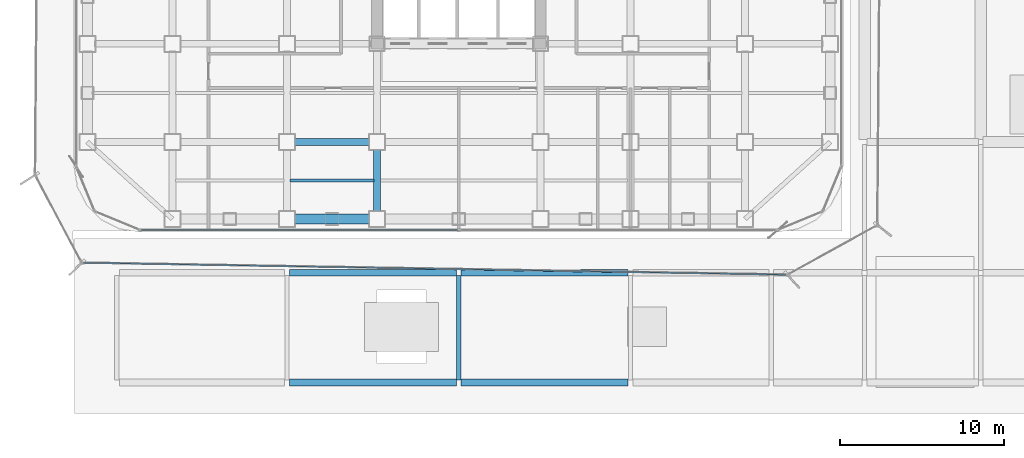
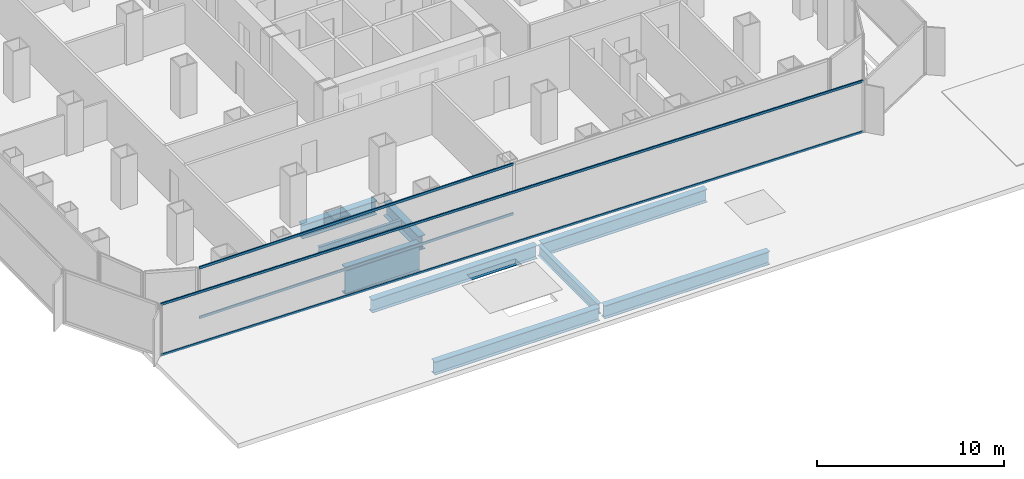
# One storey, part 4 of 27: 9 beams, 4 members, 2 elements without a shape of their own.
"""IFC4 building model written with IfcOpenShell, lengths in metres."""

from ifc_helpers import new_model, si_unit, direction, frame, origin, origin_2d, place, context, subcontext, project, spatial, hollow_rectangle, i_section, extrude, source, transform, mapped, material, layer, layer_set, material_profile, profile_set, type_object, element, aggregate, save


model = new_model("IFC4")

# Units and contexts
model_context = context("Model", 3, precision=1e-05, world=origin(), true_north=direction((0.0, 1.0)))
body_context = subcontext(model_context, "Body", "Model", "MODEL_VIEW")
ifc_project = project(units=[si_unit("LENGTHUNIT", "METRE"), si_unit("AREAUNIT", "SQUARE_METRE"), si_unit("VOLUMEUNIT", "CUBIC_METRE"), si_unit("PLANEANGLEUNIT", "RADIAN"), si_unit("MASSUNIT", "GRAM", prefix="KILO")], contexts=[model_context])

# Site, building, storey
site_placement = place(None, origin())
site = spatial("IfcSite", under=ifc_project, at=site_placement, CompositionType="ELEMENT")
building_placement = place(site_placement, origin())
building = spatial("IfcBuilding", under=site, at=building_placement, Name="Kolveth Station Tower", CompositionType="ELEMENT")
storey_placement = place(building_placement, frame((0.0, 0.0, 22.5)))
storey = spatial("IfcBuildingStorey", under=building, at=storey_placement, Name="L05", CompositionType="ELEMENT", Elevation=22.5)

# Beams
ifc_material_1 = material(Name="Steel S355", Category="steel")
ifc_material_profile_1 = material_profile(ifc_material_1, i_section(OverallWidth=0.41796875, OverallDepth=0.912109375, WebThickness=0.019287109375, FlangeThickness=0.031982421875, at=origin_2d()), Name="W920x342")
ifc_profile_set_1 = profile_set([ifc_material_profile_1], Name="Steel S355")
beam_type_1 = type_object("IfcBeamType", Name="Beam_B1", PredefinedType="BEAM", material=ifc_profile_set_1)
shared_shape_1 = source(origin(), body_context, "Body", "SweptSolid", [
    extrude(i_section(OverallWidth=0.41796875, OverallDepth=0.912109375, WebThickness=0.019287109375, FlangeThickness=0.031982421875, at=origin_2d()), origin(), (0.0, 0.0, 1.0), 4.60009765625),
])
beam_1_placement = place(storey_placement, frame((13.449951171875, 5.5, -0.81591796875), z_axis=(1.0, 0.0, 0.0), x_axis=(0.0, 1.0, 0.0)))
element("IfcBeam", 1, at=beam_1_placement, inside=storey, type_object=beam_type_1, Name="L05 Primary Girder BM-L05-GY55-3", PredefinedType="BEAM", context=body_context, shape_type="MappedRepresentation", body=[
    mapped(shared_shape_1, transform((0.0, 0.0, 0.0), x_axis=(1.0, 0.0, 0.0), y_axis=(0.0, 1.0, 0.0), z_axis=(0.0, 0.0, 1.0), scale=1.0)),
])
shared_shape_2 = source(origin(), body_context, "Body", "SweptSolid", [
    extrude(i_section(OverallWidth=0.41796875, OverallDepth=0.912109375, WebThickness=0.019287109375, FlangeThickness=0.031982421875, at=origin_2d()), origin(), (0.0, 0.0, 1.0), 3.800048828125),
])
beam_2_placement = place(storey_placement, frame((18.5, 1.25, -0.81591796875), z_axis=(0.0, 1.0, 0.0), x_axis=(-1.0, 0.0, 0.0)))
element("IfcBeam", 2, at=beam_2_placement, inside=storey, type_object=beam_type_1, Name="L05 Primary Girder BM-L05-GX185-1", PredefinedType="BEAM", context=body_context, shape_type="MappedRepresentation", body=[
    mapped(shared_shape_2, transform((0.0, 0.0, 0.0), x_axis=(1.0, 0.0, 0.0), y_axis=(0.0, 1.0, 0.0), z_axis=(0.0, 0.0, 1.0), scale=1.0)),
])
ifc_material_profile_2 = material_profile(ifc_material_1, i_section(OverallWidth=0.177978515625, OverallDepth=0.406982421875, WebThickness=0.0078125, FlangeThickness=0.0126953125, at=origin_2d()), Name="W410x60")
ifc_profile_set_2 = profile_set([ifc_material_profile_2], Name="Steel S355")
beam_type_2 = type_object("IfcBeamType", Name="Beam_J1", PredefinedType="JOIST", material=ifc_profile_set_2)
shared_shape_3 = source(origin(), body_context, "Body", "SweptSolid", [
    extrude(i_section(OverallWidth=0.177978515625, OverallDepth=0.406982421875, WebThickness=0.0078125, FlangeThickness=0.0126953125, at=origin_2d()), origin(), (0.0, 0.0, 1.0), 5.10986328125),
])
beam_3_placement = place(storey_placement, frame((13.195068359375, 3.14990234375, -0.5634765625), z_axis=(1.0, 0.0, 0.0), x_axis=(0.0, 1.0, 0.0)))
element("IfcBeam", 3, at=beam_3_placement, inside=storey, type_object=beam_type_2, Name="L05 Secondary Joist JST-L05-3-1", PredefinedType="JOIST", context=body_context, shape_type="MappedRepresentation", body=[
    mapped(shared_shape_3, transform((0.0, 0.0, 0.0), x_axis=(1.0, 0.0, 0.0), y_axis=(0.0, 1.0, 0.0), z_axis=(0.0, 0.0, 1.0), scale=1.0)),
])
ifc_material_profile_3 = material_profile(ifc_material_1, i_section(OverallWidth=0.40087890625, OverallDepth=0.85107421875, WebThickness=0.01611328125, FlangeThickness=0.025390625, at=origin_2d()), Name="W840x226")
ifc_profile_set_3 = profile_set([ifc_material_profile_3], Name="Steel S355")
beam_type_3 = type_object("IfcBeamType", Name="Beam_B2", PredefinedType="BEAM", material=ifc_profile_set_3)
shared_shape_4 = source(origin(), body_context, "Body", "SweptSolid", [
    extrude(i_section(OverallWidth=0.40087890625, OverallDepth=0.85107421875, WebThickness=0.01611328125, FlangeThickness=0.025390625, at=origin_2d()), origin(), (0.0, 0.0, 1.0), 10.2001953125),
])
for number, where, z_axis, x_axis, name in (
    (4, (13.14990234375, -9.199951171875, -0.7255859375), (1.0, 0.0, 0.0), (0.0, 1.0, 0.0), "L05 Station Concourse Girder SBM-L05-SL1-2"),
    (5, (13.14990234375, -2.5, -0.7255859375), (1.0, 0.0, 0.0), (0.0, 1.0, 0.0), "L05 Station Concourse Girder SBM-L05-SL2-2"),
    (6, (23.64990234375, -9.199951171875, -0.7255859375), (1.0, 0.0, 0.0), (0.0, 1.0, 0.0), "L05 Station Concourse Girder SBM-L05-SL1-3"),
    (7, (23.64990234375, -2.5, -0.7255859375), (1.0, 0.0, 0.0), (0.0, 1.0, 0.0), "L05 Station Concourse Girder SBM-L05-SL2-3"),
):
    element("IfcBeam", number, at=place(storey_placement, frame(where, z_axis=z_axis, x_axis=x_axis)), inside=storey, type_object=beam_type_3, Name=name, PredefinedType="BEAM", context=body_context, shape_type="MappedRepresentation", body=[
        mapped(shared_shape_4, transform((0.0, 0.0, 0.0), x_axis=(1.0, 0.0, 0.0), y_axis=(0.0, 1.0, 0.0), z_axis=(0.0, 0.0, 1.0), scale=1.0)),
    ])
ifc_material_profile_4 = material_profile(ifc_material_1, i_section(OverallWidth=0.25390625, OverallDepth=0.68798828125, WebThickness=0.01318359375, FlangeThickness=0.02099609375, at=origin_2d()), Name="W690x152")
ifc_profile_set_4 = profile_set([ifc_material_profile_4], Name="Steel S355")
beam_type_4 = type_object("IfcBeamType", Name="Beam_B4", PredefinedType="BEAM", material=ifc_profile_set_4)
shared_shape_5 = source(origin(), body_context, "Body", "SweptSolid", [
    extrude(i_section(OverallWidth=0.25390625, OverallDepth=0.68798828125, WebThickness=0.01318359375, FlangeThickness=0.02099609375, at=origin_2d()), origin(), (0.0, 0.0, 1.0), 6.400146484375),
])
beam_4_placement = place(storey_placement, frame((23.5, -9.050048828125, -0.64404296875), z_axis=(0.0, 1.0, 0.0), x_axis=(-1.0, 0.0, 0.0)))
element("IfcBeam", 8, at=beam_4_placement, inside=storey, type_object=beam_type_4, Name="L05 Station Transverse Beam SBM-L05-ST-3", PredefinedType="BEAM", context=body_context, shape_type="MappedRepresentation", body=[
    mapped(shared_shape_5, transform((0.0, 0.0, 0.0), x_axis=(1.0, 0.0, 0.0), y_axis=(0.0, 1.0, 0.0), z_axis=(0.0, 0.0, 1.0), scale=1.0)),
])
ifc_material_2 = material(Name="Steel S460", Category="steel")
ifc_material_profile_5 = material_profile(ifc_material_2, i_section(OverallWidth=0.60009765625, OverallDepth=1.800048828125, WebThickness=0.031982421875, FlangeThickness=0.06005859375, at=origin_2d()), Name="PG1800x600x60")
ifc_profile_set_5 = profile_set([ifc_material_profile_5], Name="Steel S460")
beam_type_5 = type_object("IfcBeamType", Name="Beam_TG2", PredefinedType="BEAM", material=ifc_profile_set_5)
shared_shape_6 = source(origin(), body_context, "Body", "SweptSolid", [
    extrude(i_section(OverallWidth=0.60009765625, OverallDepth=1.800048828125, WebThickness=0.031982421875, FlangeThickness=0.06005859375, at=origin_2d()), origin(), (0.0, 0.0, 1.0), 4.60009765625),
])
beam_5_placement = place(storey_placement, frame((13.449951171875, 0.800048828125, -1.260009765625), z_axis=(1.0, 0.0, 0.0), x_axis=(0.0, 1.0, 0.0)))
element("IfcBeam", 9, at=beam_5_placement, inside=storey, type_object=beam_type_5, Name="L05 Transfer Girder BM-L05-PS-2", PredefinedType="BEAM", context=body_context, shape_type="MappedRepresentation", body=[
    mapped(shared_shape_6, transform((0.0, 0.0, 0.0), x_axis=(1.0, 0.0, 0.0), y_axis=(0.0, 1.0, 0.0), z_axis=(0.0, 0.0, 1.0), scale=1.0)),
])

# Curtain wall, members
ifc_material_3 = material(Name="Aluminium 6063-T6 and low-E dark glass", Category="aluminium")
ifc_layer_1 = layer(ifc_material_3, 0.179931640625)
ifc_layer_set_1 = layer_set([ifc_layer_1], Name="Aluminium 6063-T6 and low-E dark glass")
curtain_wall_type_1 = type_object("IfcCurtainWallType", Name="CurtainWall_CW-Z1", PredefinedType="NOTDEFINED", material=ifc_layer_set_1)
curtain_wall_1_placement = place(storey_placement, origin())
curtain_wall_1 = element("IfcCurtainWall", 10, at=curtain_wall_1_placement, inside=storey, type_object=curtain_wall_type_1, Name="L05 Inner Thermal Curtain Wall 12", PredefinedType="NOTDEFINED")
ifc_material_4 = material(Name="Black anodized aluminium 6063-T6", Category="aluminium")
ifc_material_profile_6 = material_profile(ifc_material_4, hollow_rectangle(XDim=0.074951171875, YDim=0.159912109375, WallThickness=0.0048828125, at=origin_2d()), Name="ALU-75x160x5")
ifc_profile_set_6 = profile_set([ifc_material_profile_6], Name="Black anodized aluminium 6063-T6")
member_type_1 = type_object("IfcMemberType", Name="Transom_TR1", PredefinedType="USERDEFINED", material=ifc_profile_set_6)
shared_shape_7 = source(origin(), body_context, "Body", "SweptSolid", [
    extrude(hollow_rectangle(XDim=0.074951171875, YDim=0.159912109375, WallThickness=0.0048828125, at=origin_2d()), origin(), (0.0, 0.0, 1.0), 19.387451171875),
])
member_1_placement = place(storey_placement, frame((4.074951171875, 0.1201171875, 0.03759765625), z_axis=(1.0, 0.0, 0.0), x_axis=(0.0, 1.0, 0.0)))
member_1 = element("IfcMember", 11, at=member_1_placement, type_object=member_type_1, Name="CW-Z1 transom 1.1", ObjectType="TRANSOM", PredefinedType="USERDEFINED", context=body_context, shape_type="MappedRepresentation", body=[
    mapped(shared_shape_7, transform((0.0, 0.0, 0.0), x_axis=(1.0, 0.0, 0.0), y_axis=(0.0, 1.0, 0.0), z_axis=(0.0, 0.0, 1.0), scale=1.0)),
])
member_2_placement = place(storey_placement, frame((4.074951171875, 0.1201171875, 3.282470703125), z_axis=(1.0, 0.0, 0.0), x_axis=(0.0, 1.0, 0.0)))
member_2 = element("IfcMember", 12, at=member_2_placement, type_object=member_type_1, Name="CW-Z1 transom 1.2", ObjectType="TRANSOM", PredefinedType="USERDEFINED", context=body_context, shape_type="MappedRepresentation", body=[
    mapped(shared_shape_7, transform((0.0, 0.0, 0.0), x_axis=(1.0, 0.0, 0.0), y_axis=(0.0, 1.0, 0.0), z_axis=(0.0, 0.0, 1.0), scale=1.0)),
])
aggregate(curtain_wall_1, [member_1, member_2])

ifc_material_5 = material(Name="Black anodized aluminium 6063-T6 and dark solar glass", Category="aluminium")
ifc_layer_2 = layer(ifc_material_5, 0.159912109375)
ifc_layer_set_2 = layer_set([ifc_layer_2], Name="Black anodized aluminium 6063-T6 and dark solar glass")
curtain_wall_type_2 = type_object("IfcCurtainWallType", Name="OUTER SKIN CW-OS", PredefinedType="NOTDEFINED", material=ifc_layer_set_2)
curtain_wall_2_placement = place(storey_placement, origin())
curtain_wall_2 = element("IfcCurtainWall", 13, at=curtain_wall_2_placement, inside=storey, type_object=curtain_wall_type_2, Name="L05 Outer Ventilated Skin Curtain Wall 8", PredefinedType="NOTDEFINED")
ifc_material_profile_7 = material_profile(ifc_material_4, hollow_rectangle(XDim=0.080078125, YDim=0.14990234375, WallThickness=0.0048828125, at=origin_2d()), Name="ALU-80x150x5")
ifc_profile_set_7 = profile_set([ifc_material_profile_7], Name="Black anodized aluminium 6063-T6")
member_type_2 = type_object("IfcMemberType", Name="Transom_TR-OS", PredefinedType="USERDEFINED", material=ifc_profile_set_7)
shared_shape_8 = source(origin(), body_context, "Body", "SweptSolid", [
    extrude(hollow_rectangle(XDim=0.080078125, YDim=0.14990234375, WallThickness=0.0048828125, at=origin_2d()), origin(), (0.0, 0.0, 1.0), 42.96240234375),
])
member_3_placement = place(storey_placement, frame((0.55029296875, -1.88232421875, 0.0400390625), z_axis=(0.999855544157, -0.016996788459, 0.0), x_axis=(0.016996788459, 0.999855544157, 0.0)))
member_3 = element("IfcMember", 14, at=member_3_placement, type_object=member_type_2, Name="CW-OS transom 1.1", ObjectType="TRANSOM", PredefinedType="USERDEFINED", context=body_context, shape_type="MappedRepresentation", body=[
    mapped(shared_shape_8, transform((0.0, 0.0, 0.0), x_axis=(1.0, 0.0, 0.0), y_axis=(0.0, 1.0, 0.0), z_axis=(0.0, 0.0, 1.0), scale=1.0)),
])
member_4_placement = place(storey_placement, frame((0.55029296875, -1.88232421875, 3.35009765625), z_axis=(0.999855544157, -0.016996788459, 0.0), x_axis=(0.016996788459, 0.999855544157, 0.0)))
member_4 = element("IfcMember", 15, at=member_4_placement, type_object=member_type_2, Name="CW-OS transom 1.2", ObjectType="TRANSOM", PredefinedType="USERDEFINED", context=body_context, shape_type="MappedRepresentation", body=[
    mapped(shared_shape_8, transform((0.0, 0.0, 0.0), x_axis=(1.0, 0.0, 0.0), y_axis=(0.0, 1.0, 0.0), z_axis=(0.0, 0.0, 1.0), scale=1.0)),
])
aggregate(curtain_wall_2, [member_3, member_4])

save(model, "model.ifc")
